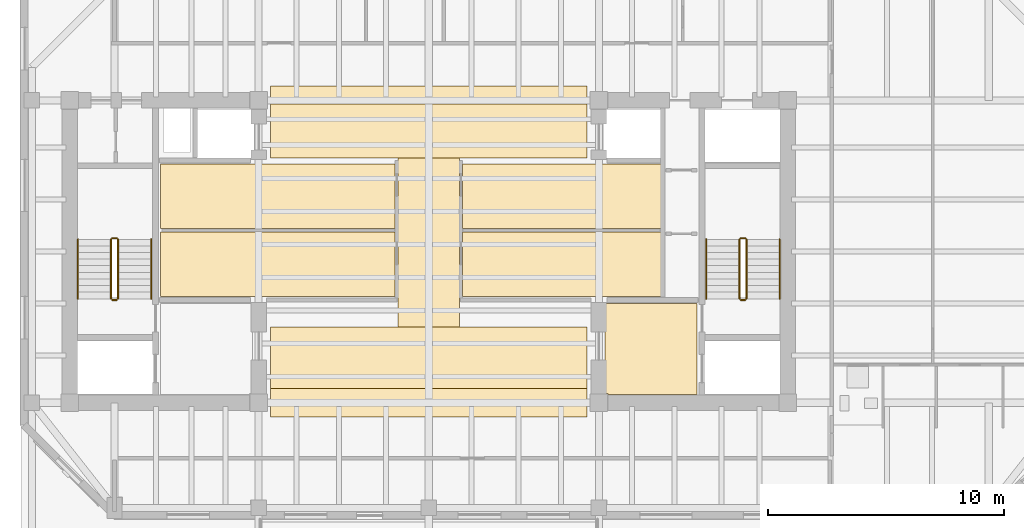
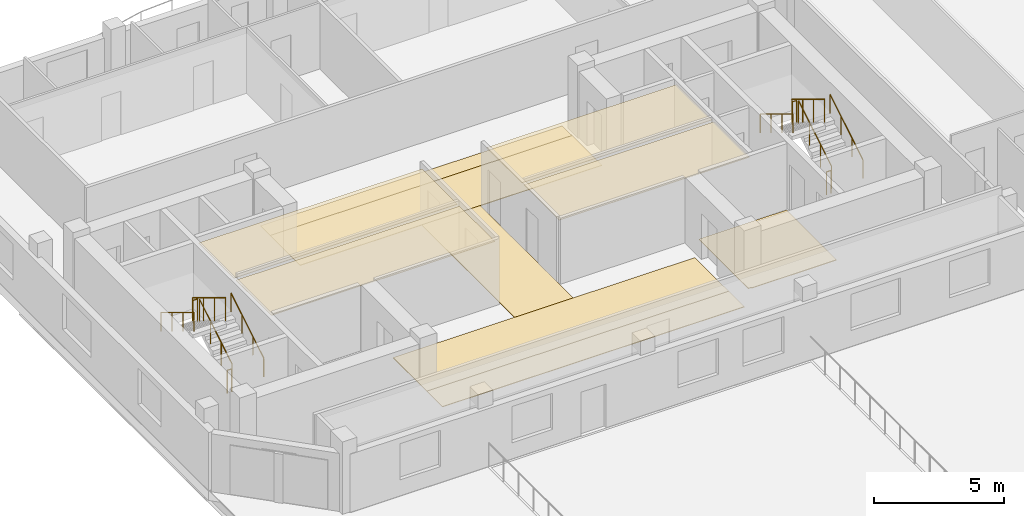
# One storey, part 8 of 10: 12 railings, 10 coverings.
"""IFC4 building model written with IfcOpenShell, lengths in metres."""

from ifc_helpers import new_model, si_unit, direction, frame, origin, origin_2d, place, context, subcontext, project, spatial, polyline, circle, outline, extrude, material, layer, layer_set, type_object, element, save


model = new_model("IFC4")

# Units and contexts
model_context = context("Model", 3, precision=1e-05, world=origin(), true_north=direction((0.0, 1.0)))
body_context = subcontext(model_context, "Body", "Model", "MODEL_VIEW")
ifc_project = project(units=[si_unit("LENGTHUNIT", "METRE"), si_unit("AREAUNIT", "SQUARE_METRE"), si_unit("VOLUMEUNIT", "CUBIC_METRE"), si_unit("PLANEANGLEUNIT", "RADIAN"), si_unit("MASSUNIT", "GRAM", prefix="KILO")], contexts=[model_context])

# Site, building, storey
site_placement = place(None, origin())
site = spatial("IfcSite", under=ifc_project, at=site_placement, CompositionType="ELEMENT")
building_placement = place(site_placement, origin())
building = spatial("IfcBuilding", under=site, at=building_placement, Name="Kranthara Brick Stack", CompositionType="ELEMENT")
storey_placement = place(building_placement, frame((0.0, 0.0, 248.300048828125)))
storey = spatial("IfcBuildingStorey", under=building, at=storey_placement, Name="L65", CompositionType="ELEMENT", Elevation=248.300048828125)

# Coverings
ifc_material_1 = material(Name="Perforated mineral-fibre acoustic ceiling tile", Category="other")
ifc_layer_1 = layer(ifc_material_1, 0.02490234375)
ifc_layer_set_1 = layer_set([ifc_layer_1], Name="Perforated mineral-fibre acoustic ceiling tile")
covering_type_1 = type_object("IfcCoveringType", Name="COV-CEIL-ACOUSTIC", PredefinedType="CEILING", material=ifc_layer_set_1)
covering_1_placement = place(storey_placement, frame((0.0, 0.0, 2.829833984375)))
element("IfcCovering", 1, at=covering_1_placement, inside=storey, type_object=covering_type_1, Name="L65 L65 Sky Club Study Room Acoustic Ceiling", PredefinedType="CEILING", context=body_context, shape_type="SweptSolid", body=[
    extrude(outline(polyline([(26.570068359375, 25.300048828125), (26.570068359375, 28.02001953125), (16.64990234375, 28.02001953125), (16.64990234375, 25.300048828125), (26.570068359375, 25.300048828125)])), origin(), (0.0, 0.0, 1.0), 0.025146484375),
])
covering_2_placement = place(storey_placement, frame((0.0, 0.0, 2.829833984375)))
element("IfcCovering", 2, at=covering_2_placement, inside=storey, type_object=covering_type_1, Name="L65 L65 Sky Club Media Salon Acoustic Ceiling", PredefinedType="CEILING", context=body_context, shape_type="SweptSolid", body=[
    extrude(outline(polyline([(26.570068359375, 28.179931640625), (26.570068359375, 30.89990234375), (16.64990234375, 30.89990234375), (16.64990234375, 28.179931640625), (26.570068359375, 28.179931640625)])), origin(), (0.0, 0.0, 1.0), 0.025146484375),
])
covering_3_placement = place(storey_placement, frame((0.0, 0.0, 2.829833984375)))
element("IfcCovering", 3, at=covering_3_placement, inside=storey, type_object=covering_type_1, Name="L65 L65 Sky Club Tea Room Acoustic Ceiling", PredefinedType="CEILING", context=body_context, shape_type="SweptSolid", body=[
    extrude(outline(polyline([(37.8798828125, 25.300048828125), (37.8798828125, 28.02001953125), (29.429931640625, 28.02001953125), (29.429931640625, 25.300048828125), (37.8798828125, 25.300048828125)])), origin(), (0.0, 0.0, 1.0), 0.025146484375),
])
covering_4_placement = place(storey_placement, frame((0.0, 0.0, 2.829833984375)))
element("IfcCovering", 4, at=covering_4_placement, inside=storey, type_object=covering_type_1, Name="L65 L65 Sky Club Private Dining Room Acoustic Ceiling", PredefinedType="CEILING", context=body_context, shape_type="SweptSolid", body=[
    extrude(outline(polyline([(37.8798828125, 28.179931640625), (37.8798828125, 30.89990234375), (29.429931640625, 30.89990234375), (29.429931640625, 28.179931640625), (37.8798828125, 28.179931640625)])), origin(), (0.0, 0.0, 1.0), 0.025146484375),
])
ifc_material_2 = material(Name="Honed terrazzo and porcelain floor finish", Category="stone")
ifc_layer_2 = layer(ifc_material_2, 0.030029296875)
ifc_layer_set_2 = layer_set([ifc_layer_2], Name="Honed terrazzo and porcelain floor finish")
covering_type_2 = type_object("IfcCoveringType", Name="COV-FLOR-STONE", PredefinedType="FLOORING", material=ifc_layer_set_2)
covering_5_placement = place(storey_placement, origin())
element("IfcCovering", 5, at=covering_5_placement, inside=storey, type_object=covering_type_2, Name="L65 Lift Lobby Stone Flooring", PredefinedType="FLOORING", context=body_context, shape_type="SweptSolid", body=[
    extrude(outline(polyline([(35.449951171875, 25.0), (39.35009765625, 25.0), (39.35009765625, 21.14990234375), (35.5849609375, 21.14990234375), (35.5849609375, 21.18505859375), (35.449951171875, 21.18505859375), (35.449951171875, 25.0)])), origin(), (0.0, 0.0, 1.0), 0.030029296875),
])
covering_6_placement = place(storey_placement, origin())
element("IfcCovering", 6, at=covering_6_placement, inside=storey, type_object=covering_type_2, Name="L65 Lift Lobby Stone Flooring", PredefinedType="FLOORING", context=body_context, shape_type="SweptSolid", body=[
    extrude(outline(polyline([(34.699951171875, 21.39990234375), (34.699951171875, 24.0), (21.300048828125, 24.0), (21.300048828125, 21.39990234375), (34.699951171875, 21.39990234375)])), origin(), (0.0, 0.0, 1.0), 0.030029296875),
])
covering_7_placement = place(storey_placement, origin())
element("IfcCovering", 7, at=covering_7_placement, inside=storey, type_object=covering_type_2, Name="L65 Lift Lobby Stone Flooring", PredefinedType="FLOORING", context=body_context, shape_type="SweptSolid", body=[
    extrude(outline(polyline([(34.699951171875, 31.14990234375), (34.699951171875, 33.449951171875), (21.300048828125, 33.449951171875), (21.300048828125, 31.14990234375), (34.699951171875, 31.14990234375)])), origin(), (0.0, 0.0, 1.0), 0.030029296875),
])
covering_8_placement = place(storey_placement, origin())
element("IfcCovering", 8, at=covering_8_placement, inside=storey, type_object=covering_type_2, Name="L65 Lift Lobby Stone Flooring", PredefinedType="FLOORING", context=body_context, shape_type="SweptSolid", body=[
    extrude(outline(polyline([(29.300048828125, 24.0), (26.699951171875, 24.0), (26.699951171875, 31.14990234375), (29.300048828125, 31.14990234375), (29.300048828125, 24.0)])), origin(), (0.0, 0.0, 1.0), 0.030029296875),
])
covering_9_placement = place(storey_placement, origin())
element("IfcCovering", 9, at=covering_9_placement, inside=storey, type_object=covering_type_2, Name="L65 Lift Lobby Stone Flooring", PredefinedType="FLOORING", context=body_context, shape_type="SweptSolid", body=[
    extrude(outline(polyline([(34.699951171875, 20.199951171875), (21.300048828125, 20.199951171875), (21.300048828125, 21.39990234375), (34.699951171875, 21.39990234375), (34.699951171875, 20.199951171875)])), origin(), (0.0, 0.0, 1.0), 0.030029296875),
])
covering_10_placement = place(storey_placement, origin())
element("IfcCovering", 10, at=covering_10_placement, inside=storey, type_object=covering_type_2, Name="L65 Lift Lobby Stone Flooring", PredefinedType="FLOORING", context=body_context, shape_type="SweptSolid", body=[
    extrude(outline(polyline([(34.699951171875, 33.449951171875), (21.300048828125, 33.449951171875), (21.300048828125, 34.199951171875), (34.699951171875, 34.199951171875), (34.699951171875, 33.449951171875)])), origin(), (0.0, 0.0, 1.0), 0.030029296875),
])

# Railings
ifc_material_3 = material(Name="Painted galvanized steel stair guardrail", Category="steel")
railing_type_1 = type_object("IfcRailingType", Name="RL-STAIR-GUARD-1100", PredefinedType="GUARDRAIL", material=ifc_material_3)
railing_1_placement = place(storey_placement, frame((14.85009765625, 25.199951171875, 0.169921875)))
element("IfcRailing", 11, at=railing_1_placement, inside=storey, type_object=railing_type_1, Name="L65 ST01 stair guard 1", PredefinedType="GUARDRAIL", context=body_context, shape_type="SweptSolid", body=[
    extrude(circle(Radius=0.02392578125, at=origin_2d()), frame((0.0, 0.0, 1.076171875), z_axis=(0.0, 0.85478489116, 0.518982456201), x_axis=(-1.0, 0.0, 0.0)), (0.0, 0.0, 1.0), 2.9482421875),
    extrude(circle(Radius=0.02099609375, at=origin_2d()), origin(), (0.0, 0.0, 1.0), 1.052001953125),
    extrude(circle(Radius=0.02099609375, at=origin_2d()), frame((0.0, 0.840087890625, 0.510009765625)), (0.0, 0.0, 1.0), 1.052001953125),
    extrude(circle(Radius=0.02099609375, at=origin_2d()), frame((0.0, 1.679931640625, 1.02001953125)), (0.0, 0.0, 1.0), 1.052001953125),
    extrude(circle(Radius=0.02099609375, at=origin_2d()), frame((0.0, 2.52001953125, 1.530029296875)), (0.0, 0.0, 1.0), 1.052001953125),
])
railing_2_placement = place(storey_placement, frame((14.800048828125, 27.77001953125, 1.699951171875)))
element("IfcRailing", 12, at=railing_2_placement, inside=storey, type_object=railing_type_1, Name="L65 ST01 stair guard 2", PredefinedType="GUARDRAIL", context=body_context, shape_type="SweptSolid", body=[
    extrude(circle(Radius=0.02392578125, at=origin_2d()), frame((0.0, 0.0, 1.076171875), z_axis=(-1.0, 0.0, 0.0), x_axis=(0.0, -1.0, 0.0)), (0.0, 0.0, 1.0), 0.199951171875),
    extrude(circle(Radius=0.02099609375, at=origin_2d()), origin(), (0.0, 0.0, 1.0), 1.052001953125),
    extrude(circle(Radius=0.02099609375, at=origin_2d()), frame((-0.199951171875, 0.0, 0.0)), (0.0, 0.0, 1.0), 1.052001953125),
])
railing_3_placement = place(storey_placement, frame((14.550048828125, 27.719970703125, 1.869873046875)))
element("IfcRailing", 13, at=railing_3_placement, inside=storey, type_object=railing_type_1, Name="L65 ST01 stair guard 3", PredefinedType="GUARDRAIL", context=body_context, shape_type="SweptSolid", body=[
    extrude(circle(Radius=0.02392578125, at=origin_2d()), frame((0.0, 0.0, 1.076171875), z_axis=(0.0, -0.85478489116, 0.518982456201), x_axis=(1.0, 0.0, 0.0)), (0.0, 0.0, 1.0), 2.9482421875),
    extrude(circle(Radius=0.02099609375, at=origin_2d()), origin(), (0.0, 0.0, 1.0), 1.052001953125),
    extrude(circle(Radius=0.02099609375, at=origin_2d()), frame((0.0, -0.840087890625, 0.510009765625)), (0.0, 0.0, 1.0), 1.052001953125),
    extrude(circle(Radius=0.02099609375, at=origin_2d()), frame((0.0, -1.679931640625, 1.02001953125)), (0.0, 0.0, 1.0), 1.052001953125),
    extrude(circle(Radius=0.02099609375, at=origin_2d()), frame((0.0, -2.52001953125, 1.530029296875)), (0.0, 0.0, 1.0), 1.052001953125),
])
railing_4_placement = place(storey_placement, frame((14.800048828125, 25.14990234375, 0.0)))
element("IfcRailing", 14, at=railing_4_placement, inside=storey, type_object=railing_type_1, Name="L65 ST01 stair guard 4", PredefinedType="GUARDRAIL", context=body_context, shape_type="SweptSolid", body=[
    extrude(circle(Radius=0.02392578125, at=origin_2d()), frame((0.0, 0.0, 1.076171875), z_axis=(-1.0, 0.0, 0.0), x_axis=(0.0, -1.0, 0.0)), (0.0, 0.0, 1.0), 0.199951171875),
    extrude(circle(Radius=0.02099609375, at=origin_2d()), origin(), (0.0, 0.0, 1.0), 1.052001953125),
    extrude(circle(Radius=0.02099609375, at=origin_2d()), frame((-0.199951171875, 0.0, 0.0)), (0.0, 0.0, 1.0), 1.052001953125),
])
railing_5_placement = place(storey_placement, frame((41.449951171875, 25.199951171875, 0.169921875)))
element("IfcRailing", 15, at=railing_5_placement, inside=storey, type_object=railing_type_1, Name="L65 ST02 stair guard 1", PredefinedType="GUARDRAIL", context=body_context, shape_type="SweptSolid", body=[
    extrude(circle(Radius=0.02392578125, at=origin_2d()), frame((0.0, 0.0, 1.076171875), z_axis=(0.0, 0.85478489116, 0.518982456201), x_axis=(-1.0, 0.0, 0.0)), (0.0, 0.0, 1.0), 2.9482421875),
    extrude(circle(Radius=0.02099609375, at=origin_2d()), origin(), (0.0, 0.0, 1.0), 1.052001953125),
    extrude(circle(Radius=0.02099609375, at=origin_2d()), frame((0.0, 0.840087890625, 0.510009765625)), (0.0, 0.0, 1.0), 1.052001953125),
    extrude(circle(Radius=0.02099609375, at=origin_2d()), frame((0.0, 1.679931640625, 1.02001953125)), (0.0, 0.0, 1.0), 1.052001953125),
    extrude(circle(Radius=0.02099609375, at=origin_2d()), frame((0.0, 2.52001953125, 1.530029296875)), (0.0, 0.0, 1.0), 1.052001953125),
])
railing_6_placement = place(storey_placement, frame((41.39990234375, 27.77001953125, 1.699951171875)))
element("IfcRailing", 16, at=railing_6_placement, inside=storey, type_object=railing_type_1, Name="L65 ST02 stair guard 2", PredefinedType="GUARDRAIL", context=body_context, shape_type="SweptSolid", body=[
    extrude(circle(Radius=0.02392578125, at=origin_2d()), frame((0.0, 0.0, 1.076171875), z_axis=(-1.0, 0.0, 0.0), x_axis=(0.0, -1.0, 0.0)), (0.0, 0.0, 1.0), 0.199951171875),
    extrude(circle(Radius=0.02099609375, at=origin_2d()), origin(), (0.0, 0.0, 1.0), 1.052001953125),
    extrude(circle(Radius=0.02099609375, at=origin_2d()), frame((-0.199951171875, 0.0, 0.0)), (0.0, 0.0, 1.0), 1.052001953125),
])
railing_7_placement = place(storey_placement, frame((41.14990234375, 27.719970703125, 1.869873046875)))
element("IfcRailing", 17, at=railing_7_placement, inside=storey, type_object=railing_type_1, Name="L65 ST02 stair guard 3", PredefinedType="GUARDRAIL", context=body_context, shape_type="SweptSolid", body=[
    extrude(circle(Radius=0.02392578125, at=origin_2d()), frame((0.0, 0.0, 1.076171875), z_axis=(0.0, -0.85478489116, 0.518982456201), x_axis=(1.0, 0.0, 0.0)), (0.0, 0.0, 1.0), 2.9482421875),
    extrude(circle(Radius=0.02099609375, at=origin_2d()), origin(), (0.0, 0.0, 1.0), 1.052001953125),
    extrude(circle(Radius=0.02099609375, at=origin_2d()), frame((0.0, -0.840087890625, 0.510009765625)), (0.0, 0.0, 1.0), 1.052001953125),
    extrude(circle(Radius=0.02099609375, at=origin_2d()), frame((0.0, -1.679931640625, 1.02001953125)), (0.0, 0.0, 1.0), 1.052001953125),
    extrude(circle(Radius=0.02099609375, at=origin_2d()), frame((0.0, -2.52001953125, 1.530029296875)), (0.0, 0.0, 1.0), 1.052001953125),
])
railing_8_placement = place(storey_placement, frame((41.39990234375, 25.14990234375, 0.0)))
element("IfcRailing", 18, at=railing_8_placement, inside=storey, type_object=railing_type_1, Name="L65 ST02 stair guard 4", PredefinedType="GUARDRAIL", context=body_context, shape_type="SweptSolid", body=[
    extrude(circle(Radius=0.02392578125, at=origin_2d()), frame((0.0, 0.0, 1.076171875), z_axis=(-1.0, 0.0, 0.0), x_axis=(0.0, -1.0, 0.0)), (0.0, 0.0, 1.0), 0.199951171875),
    extrude(circle(Radius=0.02099609375, at=origin_2d()), origin(), (0.0, 0.0, 1.0), 1.052001953125),
    extrude(circle(Radius=0.02099609375, at=origin_2d()), frame((-0.199951171875, 0.0, 0.0)), (0.0, 0.0, 1.0), 1.052001953125),
])
ifc_material_4 = material(Name="Brushed stainless steel tubular handrail", Category="steel")
railing_type_2 = type_object("IfcRailingType", Name="RL-STAIR-HAND-900", PredefinedType="HANDRAIL", material=ifc_material_4)
railing_9_placement = place(storey_placement, frame((16.25, 25.199951171875, 0.169921875)))
element("IfcRailing", 19, at=railing_9_placement, inside=storey, type_object=railing_type_2, Name="L65 ST01 stair handrail 1", PredefinedType="HANDRAIL", context=body_context, shape_type="SweptSolid", body=[
    extrude(circle(Radius=0.02392578125, at=origin_2d()), frame((0.0, 0.0, 0.8759765625), z_axis=(0.0, 0.85478489116, 0.518982456201), x_axis=(-1.0, 0.0, 0.0)), (0.0, 0.0, 1.0), 2.9482421875),
    extrude(circle(Radius=0.02099609375, at=origin_2d()), origin(), (0.0, 0.0, 1.0), 0.851806640625),
    extrude(circle(Radius=0.02099609375, at=origin_2d()), frame((0.0, 0.840087890625, 0.510009765625)), (0.0, 0.0, 1.0), 0.851806640625),
    extrude(circle(Radius=0.02099609375, at=origin_2d()), frame((0.0, 1.679931640625, 1.02001953125)), (0.0, 0.0, 1.0), 0.851806640625),
    extrude(circle(Radius=0.02099609375, at=origin_2d()), frame((0.0, 2.52001953125, 1.530029296875)), (0.0, 0.0, 1.0), 0.851806640625),
])
railing_10_placement = place(storey_placement, frame((13.14990234375, 27.719970703125, 1.869873046875)))
element("IfcRailing", 20, at=railing_10_placement, inside=storey, type_object=railing_type_2, Name="L65 ST01 stair handrail 2", PredefinedType="HANDRAIL", context=body_context, shape_type="SweptSolid", body=[
    extrude(circle(Radius=0.02392578125, at=origin_2d()), frame((0.0, 0.0, 0.8759765625), z_axis=(0.0, -0.85478489116, 0.518982456201), x_axis=(1.0, 0.0, 0.0)), (0.0, 0.0, 1.0), 2.9482421875),
    extrude(circle(Radius=0.02099609375, at=origin_2d()), origin(), (0.0, 0.0, 1.0), 0.851806640625),
    extrude(circle(Radius=0.02099609375, at=origin_2d()), frame((0.0, -0.840087890625, 0.510009765625)), (0.0, 0.0, 1.0), 0.851806640625),
    extrude(circle(Radius=0.02099609375, at=origin_2d()), frame((0.0, -1.679931640625, 1.02001953125)), (0.0, 0.0, 1.0), 0.851806640625),
    extrude(circle(Radius=0.02099609375, at=origin_2d()), frame((0.0, -2.52001953125, 1.530029296875)), (0.0, 0.0, 1.0), 0.851806640625),
])
railing_11_placement = place(storey_placement, frame((42.85009765625, 25.199951171875, 0.169921875)))
element("IfcRailing", 21, at=railing_11_placement, inside=storey, type_object=railing_type_2, Name="L65 ST02 stair handrail 1", PredefinedType="HANDRAIL", context=body_context, shape_type="SweptSolid", body=[
    extrude(circle(Radius=0.02392578125, at=origin_2d()), frame((0.0, 0.0, 0.8759765625), z_axis=(0.0, 0.85478489116, 0.518982456201), x_axis=(-1.0, 0.0, 0.0)), (0.0, 0.0, 1.0), 2.9482421875),
    extrude(circle(Radius=0.02099609375, at=origin_2d()), origin(), (0.0, 0.0, 1.0), 0.851806640625),
    extrude(circle(Radius=0.02099609375, at=origin_2d()), frame((0.0, 0.840087890625, 0.510009765625)), (0.0, 0.0, 1.0), 0.851806640625),
    extrude(circle(Radius=0.02099609375, at=origin_2d()), frame((0.0, 1.679931640625, 1.02001953125)), (0.0, 0.0, 1.0), 0.851806640625),
    extrude(circle(Radius=0.02099609375, at=origin_2d()), frame((0.0, 2.52001953125, 1.530029296875)), (0.0, 0.0, 1.0), 0.851806640625),
])
railing_12_placement = place(storey_placement, frame((39.75, 27.719970703125, 1.869873046875)))
element("IfcRailing", 22, at=railing_12_placement, inside=storey, type_object=railing_type_2, Name="L65 ST02 stair handrail 2", PredefinedType="HANDRAIL", context=body_context, shape_type="SweptSolid", body=[
    extrude(circle(Radius=0.02392578125, at=origin_2d()), frame((0.0, 0.0, 0.8759765625), z_axis=(0.0, -0.85478489116, 0.518982456201), x_axis=(1.0, 0.0, 0.0)), (0.0, 0.0, 1.0), 2.9482421875),
    extrude(circle(Radius=0.02099609375, at=origin_2d()), origin(), (0.0, 0.0, 1.0), 0.851806640625),
    extrude(circle(Radius=0.02099609375, at=origin_2d()), frame((0.0, -0.840087890625, 0.510009765625)), (0.0, 0.0, 1.0), 0.851806640625),
    extrude(circle(Radius=0.02099609375, at=origin_2d()), frame((0.0, -1.679931640625, 1.02001953125)), (0.0, 0.0, 1.0), 0.851806640625),
    extrude(circle(Radius=0.02099609375, at=origin_2d()), frame((0.0, -2.52001953125, 1.530029296875)), (0.0, 0.0, 1.0), 0.851806640625),
])

save(model, "model.ifc")
